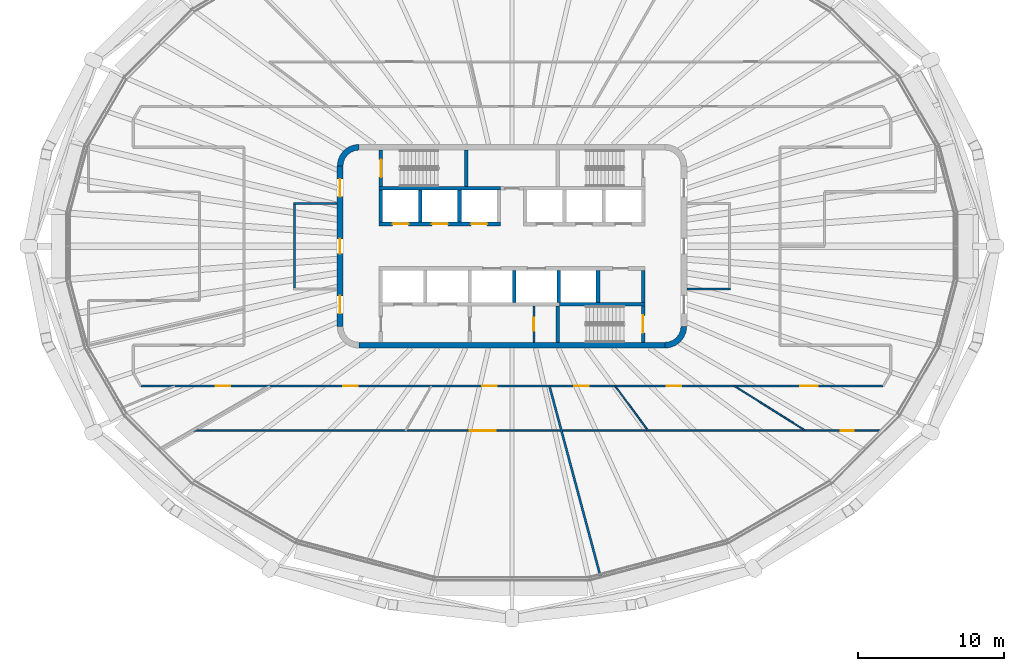
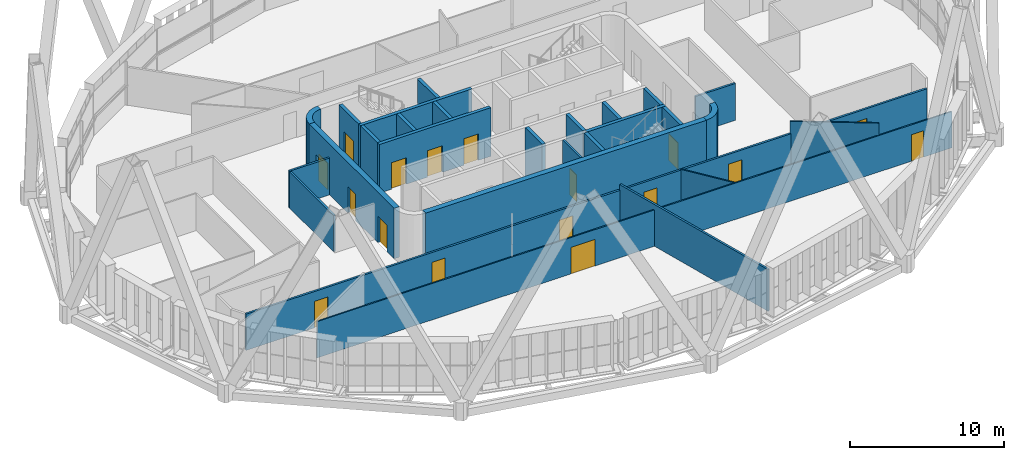
# One storey, part 13 of 23: 27 walls, 17 doors, 17 openings.
"""IFC4 building model written with IfcOpenShell, lengths in metres."""

from ifc_helpers import new_model, si_unit, direction, frame, frame_2d, origin, place, context, subcontext, project, spatial, polyline, rectangle, outline, extrude, material, layer, layer_set, type_object, element, fill, save


model = new_model("IFC4")

# Units and contexts
model_context = context("Model", 3, precision=1e-05, world=origin(), true_north=direction((0.0, 1.0)))
body_context = subcontext(model_context, "Body", "Model", "MODEL_VIEW")
ifc_project = project(units=[si_unit("LENGTHUNIT", "METRE"), si_unit("AREAUNIT", "SQUARE_METRE"), si_unit("VOLUMEUNIT", "CUBIC_METRE"), si_unit("PLANEANGLEUNIT", "RADIAN"), si_unit("MASSUNIT", "GRAM", prefix="KILO")], contexts=[model_context])

# Site, building, storey
site_placement = place(None, origin())
site = spatial("IfcSite", under=ifc_project, at=site_placement, CompositionType="ELEMENT")
building_placement = place(site_placement, origin())
building = spatial("IfcBuilding", under=site, at=building_placement, Name="Sahrelin Media Tower", CompositionType="ELEMENT")
storey_placement = place(building_placement, frame((0.0, 0.0, 217.60009765625)))
storey = spatial("IfcBuildingStorey", under=building, at=storey_placement, Name="L46", CompositionType="ELEMENT", Elevation=217.60009765625)

# Wall
ifc_material_1 = material(Name="Concrete C60/75", Category="concrete")
ifc_layer_1 = layer(ifc_material_1, 0.39990234375)
ifc_layer_set_1 = layer_set([ifc_layer_1], Name="Core wall 400")
wall_type_1 = type_object("IfcWallType", Name="Core wall 400", PredefinedType="SHEAR", material=ifc_layer_set_1)
wall_1_placement = place(storey_placement, frame((-10.5, -6.800048828125, 0.0), z_axis=(0.0, 0.0, 1.0), x_axis=(1.0, 0.0, 0.0)))
element("IfcWall", 1, at=wall_1_placement, inside=storey, type_object=wall_type_1, Name="Core wall S L46", PredefinedType="SHEAR", context=body_context, shape_type="SweptSolid", body=[
    extrude(rectangle(XDim=21.0, YDim=0.39990234375, at=frame_2d((10.5, 0.0))), origin(), (0.0, 0.0, 1.0), 4.0),
])

# Wall, openings, doors
wall_2_placement = place(storey_placement, frame((-11.800048828125, -5.5, 0.0), z_axis=(0.0, 0.0, 1.0), x_axis=(0.0, 1.0, 0.0)))
wall_2 = element("IfcWall", 2, at=wall_2_placement, inside=storey, type_object=wall_type_1, Name="Core wall W L46", PredefinedType="SHEAR", context=body_context, shape_type="SweptSolid", body=[
    extrude(rectangle(XDim=11.0, YDim=0.39990234375, at=frame_2d((5.5, 0.0))), origin(), (0.0, 0.0, 1.0), 4.0),
])
opening_1_placement = place(wall_2_placement, frame((5.0, 0.0, 0.0)))
opening_1 = element("IfcOpeningElement", 3, at=opening_1_placement, cuts=wall_2, Name="Opening L46-D09", PredefinedType="OPENING", context=body_context, shape_type="SweptSolid", body=[
    extrude(rectangle(XDim=1.0, YDim=2.10009765625, at=frame_2d((0.5, 1.050048828125))), frame((0.0, 0.199951171875, 0.0), z_axis=(0.0, -1.0, 0.0), x_axis=(1.0, 0.0, 0.0)), (0.0, 0.0, 1.0), 0.39990234375),
])
opening_2_placement = place(wall_2_placement, frame((0.89990234375, 0.0, 0.0)))
opening_2 = element("IfcOpeningElement", 4, at=opening_2_placement, cuts=wall_2, Name="Opening L46-D11", PredefinedType="OPENING", context=body_context, shape_type="SweptSolid", body=[
    extrude(rectangle(XDim=1.199951171875, YDim=2.10009765625, at=frame_2d((0.60009765625, 1.050048828125))), frame((0.0, 0.199951171875, 0.0), z_axis=(0.0, -1.0, 0.0), x_axis=(1.0, 0.0, 0.0)), (0.0, 0.0, 1.0), 0.39990234375),
])
opening_3_placement = place(wall_2_placement, frame((8.89990234375, 0.0, 0.0)))
opening_3 = element("IfcOpeningElement", 5, at=opening_3_placement, cuts=wall_2, Name="Opening L46-D12", PredefinedType="OPENING", context=body_context, shape_type="SweptSolid", body=[
    extrude(rectangle(XDim=1.199951171875, YDim=2.10009765625, at=frame_2d((0.60009765625, 1.050048828125))), frame((0.0, 0.199951171875, 0.0), z_axis=(0.0, -1.0, 0.0), x_axis=(1.0, 0.0, 0.0)), (0.0, 0.0, 1.0), 0.39990234375),
])
ifc_material_2 = material(Name="Steel fire door leaf", Category="steel")
door_type_1 = type_object("IfcDoorType", Name="Fire door 1000 x 2100 EI 60", OperationType="NOTDEFINED", PredefinedType="DOOR", material=ifc_material_2)
door_1_placement = place(opening_1_placement, origin())
door_1 = element("IfcDoor", 6, at=door_1_placement, inside=storey, type_object=door_type_1, Name="Core room door", OperationType="SINGLE_SWING_RIGHT", OverallHeight=2.10009765625, OverallWidth=1.0, PredefinedType="DOOR", context=body_context, shape_type="SweptSolid", body=[
    extrude(rectangle(XDim=1.0, YDim=2.10009765625, at=frame_2d((0.5, 1.050048828125))), frame((0.0, 0.02490234375, 0.0), z_axis=(0.0, -1.0, 0.0), x_axis=(1.0, 0.0, 0.0)), (0.0, 0.0, 1.0), 0.050048828125),
])
fill(opening_1, door_1)
door_type_2 = type_object("IfcDoorType", Name="Lobby door 1200 x 2100 EI 60", OperationType="NOTDEFINED", PredefinedType="DOOR", material=ifc_material_2)
door_2_placement = place(opening_2_placement, origin())
door_2 = element("IfcDoor", 7, at=door_2_placement, inside=storey, type_object=door_type_2, Name="Lobby door", OperationType="SINGLE_SWING_LEFT", OverallHeight=2.10009765625, OverallWidth=1.199951171875, PredefinedType="DOOR", context=body_context, shape_type="SweptSolid", body=[
    extrude(rectangle(XDim=1.199951171875, YDim=2.10009765625, at=frame_2d((0.60009765625, 1.050048828125))), frame((0.0, 0.02490234375, 0.0), z_axis=(0.0, -1.0, 0.0), x_axis=(1.0, 0.0, 0.0)), (0.0, 0.0, 1.0), 0.050048828125),
])
fill(opening_2, door_2)
door_3_placement = place(opening_3_placement, origin())
door_3 = element("IfcDoor", 8, at=door_3_placement, inside=storey, type_object=door_type_2, Name="Lobby door", OperationType="SINGLE_SWING_LEFT", OverallHeight=2.10009765625, OverallWidth=1.199951171875, PredefinedType="DOOR", context=body_context, shape_type="SweptSolid", body=[
    extrude(rectangle(XDim=1.199951171875, YDim=2.10009765625, at=frame_2d((0.60009765625, 1.050048828125))), frame((0.0, 0.02490234375, 0.0), z_axis=(0.0, -1.0, 0.0), x_axis=(1.0, 0.0, 0.0)), (0.0, 0.0, 1.0), 0.050048828125),
])
fill(opening_3, door_3)

# Walls
placement = place(storey_placement, origin())
element("IfcWall", 9, at=placement, inside=storey, type_object=wall_type_1, Name="Core wall corner NW L46", PredefinedType="SHEAR", context=body_context, shape_type="SweptSolid", body=[
    extrude(outline(polyline([(-12.0, 5.5), (-11.596435546875, 5.5), (-11.55908203125, 5.78369140625), (-11.44970703125, 6.04833984375), (-11.275390625, 6.275390625), (-11.04833984375, 6.44970703125), (-10.78369140625, 6.55908203125), (-10.5, 6.596435546875), (-10.5, 7.0), (-10.88818359375, 6.948974609375), (-11.25, 6.799072265625), (-11.560791015625, 6.560791015625), (-11.799072265625, 6.25), (-11.948974609375, 5.88818359375), (-12.0, 5.5)])), origin(), (0.0, 0.0, 1.0), 4.0),
])
element("IfcWall", 10, at=placement, inside=storey, type_object=wall_type_1, Name="Core wall corner SE L46", PredefinedType="SHEAR", context=body_context, shape_type="SweptSolid", body=[
    extrude(outline(polyline([(12.0, -5.5), (11.596435546875, -5.5), (11.55908203125, -5.78369140625), (11.44970703125, -6.04833984375), (11.275390625, -6.275390625), (11.04833984375, -6.44970703125), (10.78369140625, -6.55908203125), (10.5, -6.596435546875), (10.5, -7.0), (10.88818359375, -6.948974609375), (11.25, -6.799072265625), (11.560791015625, -6.560791015625), (11.799072265625, -6.25), (11.948974609375, -5.88818359375), (12.0, -5.5)])), origin(), (0.0, 0.0, 1.0), 4.0),
])

# Wall, opening, door
ifc_material_3 = material(Name="Fire-rated gypsum board partition")
ifc_layer_2 = layer(ifc_material_3, 0.14990234375)
ifc_layer_set_2 = layer_set([ifc_layer_2], Name="Fire-rated partition 150")
wall_type_2 = type_object("IfcWallType", Name="Fire-rated partition 150", PredefinedType="PARTITIONING", material=ifc_layer_set_2)
wall_5_placement = place(storey_placement, frame((1.5, -6.60009765625, 0.0), z_axis=(0.0, 0.0, 1.0), x_axis=(0.0, 1.0, 0.0)))
wall_5 = element("IfcWall", 11, at=wall_5_placement, inside=storey, type_object=wall_type_2, Name="Core room fire partition", PredefinedType="PARTITIONING", context=body_context, shape_type="SweptSolid", body=[
    extrude(rectangle(XDim=2.5, YDim=0.14990234375, at=frame_2d((1.25, 0.0))), origin(), (0.0, 0.0, 1.0), 3.849853515625),
])
opening_4_placement = place(wall_5_placement, frame((0.800048828125, 0.0, 0.0)))
opening_4 = element("IfcOpeningElement", 12, at=opening_4_placement, cuts=wall_5, Name="Opening L46-D07", PredefinedType="OPENING", context=body_context, shape_type="SweptSolid", body=[
    extrude(rectangle(XDim=0.89990234375, YDim=2.10009765625, at=frame_2d((0.449951171875, 1.050048828125))), frame((0.0, 0.074951171875, 0.0), z_axis=(0.0, -1.0, 0.0), x_axis=(1.0, 0.0, 0.0)), (0.0, 0.0, 1.0), 0.14990234375),
])
door_type_3 = type_object("IfcDoorType", Name="Fire door 900 x 2100 EI 60", OperationType="NOTDEFINED", PredefinedType="DOOR", material=ifc_material_2)
door_4_placement = place(opening_4_placement, origin())
door_4 = element("IfcDoor", 13, at=door_4_placement, inside=storey, type_object=door_type_3, Name="Core room door", OperationType="SINGLE_SWING_RIGHT", OverallHeight=2.10009765625, OverallWidth=0.89990234375, PredefinedType="DOOR", context=body_context, shape_type="SweptSolid", body=[
    extrude(rectangle(XDim=0.89990234375, YDim=2.10009765625, at=frame_2d((0.449951171875, 1.050048828125))), frame((0.0, 0.02490234375, 0.0), z_axis=(0.0, -1.0, 0.0), x_axis=(1.0, 0.0, 0.0)), (0.0, 0.0, 1.0), 0.050048828125),
])
fill(opening_4, door_4)

# Walls
wall_6_placement = place(storey_placement, frame((-14.925048828125, -2.85009765625, 0.0), z_axis=(0.0, 0.0, 1.0), x_axis=(0.0, 1.0, 0.0)))
element("IfcWall", 14, at=wall_6_placement, inside=storey, type_object=wall_type_2, Name="Core room fire partition", PredefinedType="PARTITIONING", context=body_context, shape_type="SweptSolid", body=[
    extrude(rectangle(XDim=5.7001953125, YDim=0.14990234375, at=frame_2d((2.85009765625, 0.0))), origin(), (0.0, 0.0, 1.0), 2.8681640625),
])
for number, where, z_axis, x_axis, name in (
    (15, (-15.0, 2.925048828125, 0.0), (0.0, 0.0, 1.0), (1.0, 0.0, 0.0), "Core room fire partition"),
    (16, (12.0, -2.925048828125, 0.0), (0.0, 0.0, 1.0), (1.0, 0.0, 0.0), "Core room fire partition"),
):
    element("IfcWall", number, at=place(storey_placement, frame(where, z_axis=z_axis, x_axis=x_axis)), inside=storey, type_object=wall_type_2, Name=name, PredefinedType="PARTITIONING", context=body_context, shape_type="SweptSolid", body=[
        extrude(rectangle(XDim=3.0, YDim=0.14990234375, at=frame_2d((1.5, 0.0))), origin(), (0.0, 0.0, 1.0), 2.918212890625),
    ])
wall_7_placement = place(storey_placement, frame((2.572021484375, -9.60009765625, 0.0), z_axis=(0.0, 0.0, 1.0), x_axis=(0.258848824381, -0.965917846464, 0.0)))
element("IfcWall", 17, at=wall_7_placement, inside=storey, type_object=wall_type_2, Name="Wall", PredefinedType="PARTITIONING", context=body_context, shape_type="SweptSolid", body=[
    extrude(rectangle(XDim=13.6025390625, YDim=0.14990234375, at=frame_2d((6.80126953125, 0.0))), origin(), (0.0, 0.0, 1.0), 3.301513671875),
])

# Wall, openings, doors
wall_8_placement = place(storey_placement, frame((-25.47900390625, -9.60009765625, 0.0), z_axis=(0.0, 0.0, 1.0), x_axis=(1.0, 0.0, 0.0)))
wall_8 = element("IfcWall", 18, at=wall_8_placement, inside=storey, type_object=wall_type_2, Name="Wall", PredefinedType="PARTITIONING", context=body_context, shape_type="SweptSolid", body=[
    extrude(rectangle(XDim=50.9580078125, YDim=0.14990234375, at=frame_2d((25.47900390625, 0.0))), origin(), (0.0, 0.0, 1.0), 2.876953125),
])
opening_5_placement = place(wall_8_placement, frame((5.12939453125, 0.0, 0.0)))
opening_5 = element("IfcOpeningElement", 19, at=opening_5_placement, cuts=wall_8, Name="Opening L46-D22", PredefinedType="OPENING", context=body_context, shape_type="SweptSolid", body=[
    extrude(rectangle(XDim=1.0, YDim=2.10009765625, at=frame_2d((0.5, 1.050048828125))), frame((0.0, 0.074951171875, 0.0), z_axis=(0.0, -1.0, 0.0), x_axis=(1.0, 0.0, 0.0)), (0.0, 0.0, 1.0), 0.14990234375),
])
opening_6_placement = place(wall_8_placement, frame((13.8935546875, 0.0, 0.0)))
opening_6 = element("IfcOpeningElement", 20, at=opening_6_placement, cuts=wall_8, Name="Opening L46-D24", PredefinedType="OPENING", context=body_context, shape_type="SweptSolid", body=[
    extrude(rectangle(XDim=1.0, YDim=2.10009765625, at=frame_2d((0.5, 1.050048828125))), frame((0.0, 0.074951171875, 0.0), z_axis=(0.0, -1.0, 0.0), x_axis=(1.0, 0.0, 0.0)), (0.0, 0.0, 1.0), 0.14990234375),
])
opening_7_placement = place(wall_8_placement, frame((23.443359375, 0.0, 0.0)))
opening_7 = element("IfcOpeningElement", 21, at=opening_7_placement, cuts=wall_8, Name="Opening L46-D25", PredefinedType="OPENING", context=body_context, shape_type="SweptSolid", body=[
    extrude(rectangle(XDim=1.0, YDim=2.10009765625, at=frame_2d((0.5, 1.050048828125))), frame((0.0, 0.074951171875, 0.0), z_axis=(0.0, -1.0, 0.0), x_axis=(1.0, 0.0, 0.0)), (0.0, 0.0, 1.0), 0.14990234375),
])
opening_8_placement = place(wall_8_placement, frame((29.757080078125, 0.0, 0.0)))
opening_8 = element("IfcOpeningElement", 22, at=opening_8_placement, cuts=wall_8, Name="Opening L46-D27", PredefinedType="OPENING", context=body_context, shape_type="SweptSolid", body=[
    extrude(rectangle(XDim=1.0, YDim=2.10009765625, at=frame_2d((0.5, 1.050048828125))), frame((0.0, 0.074951171875, 0.0), z_axis=(0.0, -1.0, 0.0), x_axis=(1.0, 0.0, 0.0)), (0.0, 0.0, 1.0), 0.14990234375),
])
opening_9_placement = place(wall_8_placement, frame((36.109619140625, 0.0, 0.0)))
opening_9 = element("IfcOpeningElement", 23, at=opening_9_placement, cuts=wall_8, Name="Opening L46-D28", PredefinedType="OPENING", context=body_context, shape_type="SweptSolid", body=[
    extrude(rectangle(XDim=1.0, YDim=2.10009765625, at=frame_2d((0.5, 1.050048828125))), frame((0.0, 0.074951171875, 0.0), z_axis=(0.0, -1.0, 0.0), x_axis=(1.0, 0.0, 0.0)), (0.0, 0.0, 1.0), 0.14990234375),
])
opening_10_placement = place(wall_8_placement, frame((45.257568359375, 0.0, 0.0)))
opening_10 = element("IfcOpeningElement", 24, at=opening_10_placement, cuts=wall_8, Name="Opening L46-D29", PredefinedType="OPENING", context=body_context, shape_type="SweptSolid", body=[
    extrude(rectangle(XDim=1.199951171875, YDim=2.10009765625, at=frame_2d((0.60009765625, 1.050048828125))), frame((0.0, 0.074951171875, 0.0), z_axis=(0.0, -1.0, 0.0), x_axis=(1.0, 0.0, 0.0)), (0.0, 0.0, 1.0), 0.14990234375),
])
door_5_placement = place(opening_5_placement, origin())
door_5 = element("IfcDoor", 25, at=door_5_placement, inside=storey, type_object=door_type_1, Name="Fire door", OperationType="SINGLE_SWING_RIGHT", OverallHeight=2.10009765625, OverallWidth=1.0, PredefinedType="DOOR", context=body_context, shape_type="SweptSolid", body=[
    extrude(rectangle(XDim=1.0, YDim=2.10009765625, at=frame_2d((0.5, 1.050048828125))), frame((0.0, 0.02490234375, 0.0), z_axis=(0.0, -1.0, 0.0), x_axis=(1.0, 0.0, 0.0)), (0.0, 0.0, 1.0), 0.050048828125),
])
fill(opening_5, door_5)
door_6_placement = place(opening_6_placement, origin())
door_6 = element("IfcDoor", 26, at=door_6_placement, inside=storey, type_object=door_type_1, Name="Fire door", OperationType="SINGLE_SWING_RIGHT", OverallHeight=2.10009765625, OverallWidth=1.0, PredefinedType="DOOR", context=body_context, shape_type="SweptSolid", body=[
    extrude(rectangle(XDim=1.0, YDim=2.10009765625, at=frame_2d((0.5, 1.050048828125))), frame((0.0, 0.02490234375, 0.0), z_axis=(0.0, -1.0, 0.0), x_axis=(1.0, 0.0, 0.0)), (0.0, 0.0, 1.0), 0.050048828125),
])
fill(opening_6, door_6)
door_7_placement = place(opening_7_placement, origin())
door_7 = element("IfcDoor", 27, at=door_7_placement, inside=storey, type_object=door_type_1, Name="Fire door", OperationType="SINGLE_SWING_LEFT", OverallHeight=2.10009765625, OverallWidth=1.0, PredefinedType="DOOR", context=body_context, shape_type="SweptSolid", body=[
    extrude(rectangle(XDim=1.0, YDim=2.10009765625, at=frame_2d((0.5, 1.050048828125))), frame((0.0, 0.02490234375, 0.0), z_axis=(0.0, -1.0, 0.0), x_axis=(1.0, 0.0, 0.0)), (0.0, 0.0, 1.0), 0.050048828125),
])
fill(opening_7, door_7)
door_8_placement = place(opening_8_placement, origin())
door_8 = element("IfcDoor", 28, at=door_8_placement, inside=storey, type_object=door_type_1, Name="Fire door", OperationType="SINGLE_SWING_LEFT", OverallHeight=2.10009765625, OverallWidth=1.0, PredefinedType="DOOR", context=body_context, shape_type="SweptSolid", body=[
    extrude(rectangle(XDim=1.0, YDim=2.10009765625, at=frame_2d((0.5, 1.050048828125))), frame((0.0, 0.02490234375, 0.0), z_axis=(0.0, -1.0, 0.0), x_axis=(1.0, 0.0, 0.0)), (0.0, 0.0, 1.0), 0.050048828125),
])
fill(opening_8, door_8)
door_9_placement = place(opening_9_placement, origin())
door_9 = element("IfcDoor", 29, at=door_9_placement, inside=storey, type_object=door_type_1, Name="Fire door", OperationType="SINGLE_SWING_LEFT", OverallHeight=2.10009765625, OverallWidth=1.0, PredefinedType="DOOR", context=body_context, shape_type="SweptSolid", body=[
    extrude(rectangle(XDim=1.0, YDim=2.10009765625, at=frame_2d((0.5, 1.050048828125))), frame((0.0, 0.02490234375, 0.0), z_axis=(0.0, -1.0, 0.0), x_axis=(1.0, 0.0, 0.0)), (0.0, 0.0, 1.0), 0.050048828125),
])
fill(opening_9, door_9)
door_type_4 = type_object("IfcDoorType", Name="Service double door 1200 x 2100 EI 60", OperationType="DOUBLE_DOOR_SINGLE_SWING", PredefinedType="DOOR", material=ifc_material_2)
door_10_placement = place(opening_10_placement, origin())
door_10 = element("IfcDoor", 30, at=door_10_placement, inside=storey, type_object=door_type_4, Name="Service double door", OperationType="DOUBLE_DOOR_SINGLE_SWING", OverallHeight=2.10009765625, OverallWidth=1.199951171875, PredefinedType="DOOR", context=body_context, shape_type="SweptSolid", body=[
    extrude(rectangle(XDim=1.199951171875, YDim=2.10009765625, at=frame_2d((0.60009765625, 1.050048828125))), frame((0.0, 0.02490234375, 0.0), z_axis=(0.0, -1.0, 0.0), x_axis=(1.0, 0.0, 0.0)), (0.0, 0.0, 1.0), 0.050048828125),
])
fill(opening_10, door_10)

ifc_layer_3 = layer(ifc_material_1, 0.25)
ifc_layer_set_3 = layer_set([ifc_layer_3], Name="Lift shaft wall 250")
wall_type_3 = type_object("IfcWallType", Name="Lift shaft wall 250", PredefinedType="SOLIDWALL", material=ifc_layer_set_3)
wall_9_placement = place(storey_placement, frame((-9.125, 1.52490234375, 0.0), z_axis=(0.0, 0.0, 1.0), x_axis=(1.0, 0.0, 0.0)))
wall_9 = element("IfcWall", 31, at=wall_9_placement, inside=storey, type_object=wall_type_3, Name="Lift shaft wall", PredefinedType="SOLIDWALL", context=body_context, shape_type="SweptSolid", body=[
    extrude(rectangle(XDim=8.35009765625, YDim=0.25, at=frame_2d((4.175048828125, 0.0))), origin(), (0.0, 0.0, 1.0), 3.849853515625),
])
opening_11_placement = place(wall_9_placement, frame((0.925048828125, 0.0, 0.0)))
opening_11 = element("IfcOpeningElement", 32, at=opening_11_placement, cuts=wall_9, Name="Opening L46-LD-HR1", PredefinedType="OPENING", context=body_context, shape_type="SweptSolid", body=[
    extrude(rectangle(XDim=1.10009765625, YDim=2.10009765625, at=frame_2d((0.550048828125, 1.050048828125))), frame((0.0, 0.125, 0.0), z_axis=(0.0, -1.0, 0.0), x_axis=(1.0, 0.0, 0.0)), (0.0, 0.0, 1.0), 0.25),
])
opening_12_placement = place(wall_9_placement, frame((3.625, 0.0, 0.0)))
opening_12 = element("IfcOpeningElement", 33, at=opening_12_placement, cuts=wall_9, Name="Opening L46-LD-HR2", PredefinedType="OPENING", context=body_context, shape_type="SweptSolid", body=[
    extrude(rectangle(XDim=1.10009765625, YDim=2.10009765625, at=frame_2d((0.550048828125, 1.050048828125))), frame((0.0, 0.125, 0.0), z_axis=(0.0, -1.0, 0.0), x_axis=(1.0, 0.0, 0.0)), (0.0, 0.0, 1.0), 0.25),
])
opening_13_placement = place(wall_9_placement, frame((6.324951171875, 0.0, 0.0)))
opening_13 = element("IfcOpeningElement", 34, at=opening_13_placement, cuts=wall_9, Name="Opening L46-LD-HR3", PredefinedType="OPENING", context=body_context, shape_type="SweptSolid", body=[
    extrude(rectangle(XDim=1.10009765625, YDim=2.10009765625, at=frame_2d((0.550048828125, 1.050048828125))), frame((0.0, 0.125, 0.0), z_axis=(0.0, -1.0, 0.0), x_axis=(1.0, 0.0, 0.0)), (0.0, 0.0, 1.0), 0.25),
])
ifc_material_4 = material(Name="Stainless steel", Category="steel")
door_type_5 = type_object("IfcDoorType", Name="Lift landing door 1100 x 2100 EI 120", OperationType="DOUBLE_DOOR_SLIDING", PredefinedType="DOOR", material=ifc_material_4)
door_11_placement = place(opening_11_placement, origin())
door_11 = element("IfcDoor", 35, at=door_11_placement, inside=storey, type_object=door_type_5, Name="Lift landing door HR1", OperationType="DOUBLE_DOOR_SLIDING", OverallHeight=2.10009765625, OverallWidth=1.10009765625, PredefinedType="DOOR", context=body_context, shape_type="SweptSolid", body=[
    extrude(rectangle(XDim=1.10009765625, YDim=2.10009765625, at=frame_2d((0.550048828125, 1.050048828125))), frame((0.0, 0.02490234375, 0.0), z_axis=(0.0, -1.0, 0.0), x_axis=(1.0, 0.0, 0.0)), (0.0, 0.0, 1.0), 0.050048828125),
])
fill(opening_11, door_11)
door_12_placement = place(opening_12_placement, origin())
door_12 = element("IfcDoor", 36, at=door_12_placement, inside=storey, type_object=door_type_5, Name="Lift landing door HR2", OperationType="DOUBLE_DOOR_SLIDING", OverallHeight=2.10009765625, OverallWidth=1.10009765625, PredefinedType="DOOR", context=body_context, shape_type="SweptSolid", body=[
    extrude(rectangle(XDim=1.10009765625, YDim=2.10009765625, at=frame_2d((0.550048828125, 1.050048828125))), frame((0.0, 0.02490234375, 0.0), z_axis=(0.0, -1.0, 0.0), x_axis=(1.0, 0.0, 0.0)), (0.0, 0.0, 1.0), 0.050048828125),
])
fill(opening_12, door_12)
door_13_placement = place(opening_13_placement, origin())
door_13 = element("IfcDoor", 37, at=door_13_placement, inside=storey, type_object=door_type_5, Name="Lift landing door HR3", OperationType="DOUBLE_DOOR_SLIDING", OverallHeight=2.10009765625, OverallWidth=1.10009765625, PredefinedType="DOOR", context=body_context, shape_type="SweptSolid", body=[
    extrude(rectangle(XDim=1.10009765625, YDim=2.10009765625, at=frame_2d((0.550048828125, 1.050048828125))), frame((0.0, 0.02490234375, 0.0), z_axis=(0.0, -1.0, 0.0), x_axis=(1.0, 0.0, 0.0)), (0.0, 0.0, 1.0), 0.050048828125),
])
fill(opening_13, door_13)

# Walls
wall_10_placement = place(storey_placement, frame((-9.125, 3.97509765625, 0.0), z_axis=(0.0, 0.0, 1.0), x_axis=(1.0, 0.0, 0.0)))
element("IfcWall", 38, at=wall_10_placement, inside=storey, type_object=wall_type_3, Name="Lift shaft wall", PredefinedType="SOLIDWALL", context=body_context, shape_type="SweptSolid", body=[
    extrude(rectangle(XDim=8.35009765625, YDim=0.25, at=frame_2d((4.175048828125, 0.0))), origin(), (0.0, 0.0, 1.0), 3.849853515625),
])
for number, where, z_axis, x_axis, name in (
    (39, (-9.0, 1.64990234375, 0.0), (0.0, 0.0, 1.0), (0.0, 1.0, 0.0), "Lift shaft wall"),
    (40, (-6.300048828125, 1.64990234375, 0.0), (0.0, 0.0, 1.0), (0.0, 1.0, 0.0), "Lift shaft wall"),
    (41, (-3.60009765625, 1.64990234375, 0.0), (0.0, 0.0, 1.0), (0.0, 1.0, 0.0), "Lift shaft wall"),
):
    element("IfcWall", number, at=place(storey_placement, frame(where, z_axis=z_axis, x_axis=x_axis)), inside=storey, type_object=wall_type_3, Name=name, PredefinedType="SOLIDWALL", context=body_context, shape_type="SweptSolid", body=[
        extrude(rectangle(XDim=2.2001953125, YDim=0.25, at=frame_2d((1.10009765625, 0.0))), origin(), (0.0, 0.0, 1.0), 3.849853515625),
    ])
wall_11_placement = place(storey_placement, frame((3.27490234375, -3.97509765625, 0.0), z_axis=(0.0, 0.0, 1.0), x_axis=(1.0, 0.0, 0.0)))
element("IfcWall", 42, at=wall_11_placement, inside=storey, type_object=wall_type_3, Name="Lift shaft wall", PredefinedType="SOLIDWALL", context=body_context, shape_type="SweptSolid", body=[
    extrude(rectangle(XDim=5.85009765625, YDim=0.25, at=frame_2d((2.925048828125, 0.0))), origin(), (0.0, 0.0, 1.0), 3.849853515625),
])
for number, where, z_axis, x_axis, name in (
    (43, (0.14990234375, -3.85009765625, 0.0), (0.0, 0.0, 1.0), (0.0, 1.0, 0.0), "Lift shaft wall"),
    (44, (3.199951171875, -3.85009765625, 0.0), (0.0, 0.0, 1.0), (0.0, 1.0, 0.0), "Lift shaft wall"),
    (45, (5.89990234375, -3.85009765625, 0.0), (0.0, 0.0, 1.0), (0.0, 1.0, 0.0), "Lift shaft wall"),
    (46, (9.0, -3.85009765625, 0.0), (0.0, 0.0, 1.0), (0.0, 1.0, 0.0), "Lift shaft wall"),
):
    element("IfcWall", number, at=place(storey_placement, frame(where, z_axis=z_axis, x_axis=x_axis)), inside=storey, type_object=wall_type_3, Name=name, PredefinedType="SOLIDWALL", context=body_context, shape_type="SweptSolid", body=[
        extrude(rectangle(XDim=2.2001953125, YDim=0.25, at=frame_2d((1.10009765625, 0.0))), origin(), (0.0, 0.0, 1.0), 3.849853515625),
    ])
ifc_material_5 = material(Name="Gypsum board partition")
ifc_layer_4 = layer(ifc_material_5, 0.10009765625)
ifc_layer_set_4 = layer_set([ifc_layer_4], Name="Partition 100")
wall_type_4 = type_object("IfcWallType", Name="Partition 100", PredefinedType="PARTITIONING", material=ifc_layer_set_4)
wall_12_placement = place(storey_placement, frame((7.0849609375, -9.60009765625, 0.0), z_axis=(0.0, 0.0, 1.0), x_axis=(0.593787976906, -0.80462154985, 0.0)))
element("IfcWall", 47, at=wall_12_placement, inside=storey, type_object=wall_type_4, Name="Wall", PredefinedType="PARTITIONING", context=body_context, shape_type="SweptSolid", body=[
    extrude(rectangle(XDim=3.802734375, YDim=0.10009765625, at=frame_2d((1.9013671875, 0.0))), origin(), (0.0, 0.0, 1.0), 2.918212890625),
])
wall_13_placement = place(storey_placement, frame((15.278076171875, -9.60009765625, 0.0), z_axis=(0.0, 0.0, 1.0), x_axis=(0.84673434941, -0.532015922252, 0.0)))
element("IfcWall", 48, at=wall_13_placement, inside=storey, type_object=wall_type_4, Name="Wall", PredefinedType="PARTITIONING", context=body_context, shape_type="SweptSolid", body=[
    extrude(rectangle(XDim=5.75146484375, YDim=0.10009765625, at=frame_2d((2.875732421875, 0.0))), origin(), (0.0, 0.0, 1.0), 3.849853515625),
])

# Wall, openings, doors
wall_14_placement = place(storey_placement, frame((-21.927978515625, -12.659912109375, 0.0), z_axis=(0.0, 0.0, 1.0), x_axis=(1.0, 0.0, 0.0)))
wall_14 = element("IfcWall", 49, at=wall_14_placement, inside=storey, type_object=wall_type_4, Name="Wall", PredefinedType="PARTITIONING", context=body_context, shape_type="SweptSolid", body=[
    extrude(rectangle(XDim=47.505859375, YDim=0.10009765625, at=frame_2d((23.7529296875, 0.0))), origin(), (0.0, 0.0, 1.0), 2.876953125),
])
opening_14_placement = place(wall_14_placement, frame((19.01953125, 0.0, 0.0)))
opening_14 = element("IfcOpeningElement", 50, at=opening_14_placement, cuts=wall_14, Name="Opening L46-D26", PredefinedType="OPENING", context=body_context, shape_type="SweptSolid", body=[
    extrude(rectangle(XDim=1.800048828125, YDim=2.10009765625, at=frame_2d((0.89990234375, 1.050048828125))), frame((0.0, 0.050048828125, 0.0), z_axis=(0.0, -1.0, 0.0), x_axis=(1.0, 0.0, 0.0)), (0.0, 0.0, 1.0), 0.10009765625),
])
opening_15_placement = place(wall_14_placement, frame((44.492431640625, 0.0, 0.0)))
opening_15 = element("IfcOpeningElement", 51, at=opening_15_placement, cuts=wall_14, Name="Opening L46-D30", PredefinedType="OPENING", context=body_context, shape_type="SweptSolid", body=[
    extrude(rectangle(XDim=0.89990234375, YDim=2.10009765625, at=frame_2d((0.449951171875, 1.050048828125))), frame((0.0, 0.050048828125, 0.0), z_axis=(0.0, -1.0, 0.0), x_axis=(1.0, 0.0, 0.0)), (0.0, 0.0, 1.0), 0.10009765625),
])
ifc_material_6 = material(Name="Timber door leaf", Category="wood")
door_type_6 = type_object("IfcDoorType", Name="Double door 1800 x 2100", OperationType="DOUBLE_DOOR_SINGLE_SWING", PredefinedType="DOOR", material=ifc_material_6)
door_14_placement = place(opening_14_placement, origin())
door_14 = element("IfcDoor", 52, at=door_14_placement, inside=storey, type_object=door_type_6, Name="Double door", OperationType="DOUBLE_DOOR_SINGLE_SWING", OverallHeight=2.10009765625, OverallWidth=1.800048828125, PredefinedType="DOOR", context=body_context, shape_type="SweptSolid", body=[
    extrude(rectangle(XDim=1.800048828125, YDim=2.10009765625, at=frame_2d((0.89990234375, 1.050048828125))), frame((0.0, 0.02490234375, 0.0), z_axis=(0.0, -1.0, 0.0), x_axis=(1.0, 0.0, 0.0)), (0.0, 0.0, 1.0), 0.050048828125),
])
fill(opening_14, door_14)
door_type_7 = type_object("IfcDoorType", Name="Single door 900 x 2100", OperationType="NOTDEFINED", PredefinedType="DOOR", material=ifc_material_6)
door_15_placement = place(opening_15_placement, origin())
door_15 = element("IfcDoor", 53, at=door_15_placement, inside=storey, type_object=door_type_7, Name="Single door", OperationType="SINGLE_SWING_LEFT", OverallHeight=2.10009765625, OverallWidth=0.89990234375, PredefinedType="DOOR", context=body_context, shape_type="SweptSolid", body=[
    extrude(rectangle(XDim=0.89990234375, YDim=2.10009765625, at=frame_2d((0.449951171875, 1.050048828125))), frame((0.0, 0.02490234375, 0.0), z_axis=(0.0, -1.0, 0.0), x_axis=(1.0, 0.0, 0.0)), (0.0, 0.0, 1.0), 0.050048828125),
])
fill(opening_15, door_15)

# Wall, opening, door
ifc_layer_5 = layer(ifc_material_1, 0.25)
ifc_layer_set_5 = layer_set([ifc_layer_5], Name="Stair enclosure wall 250")
wall_type_5 = type_object("IfcWallType", Name="Stair enclosure wall 250", PredefinedType="SOLIDWALL", material=ifc_layer_set_5)
wall_15_placement = place(storey_placement, frame((-9.0, 4.10009765625, 0.0), z_axis=(0.0, 0.0, 1.0), x_axis=(0.0, 1.0, 0.0)))
wall_15 = element("IfcWall", 54, at=wall_15_placement, inside=storey, type_object=wall_type_5, Name="Stair enclosure wall", PredefinedType="SOLIDWALL", context=body_context, shape_type="SweptSolid", body=[
    extrude(rectangle(XDim=2.5, YDim=0.25, at=frame_2d((1.25, 0.0))), origin(), (0.0, 0.0, 1.0), 3.849853515625),
])
opening_16_placement = place(wall_15_placement, frame((0.64990234375, 0.0, 0.0)))
opening_16 = element("IfcOpeningElement", 55, at=opening_16_placement, cuts=wall_15, Name="Opening L46-D01", PredefinedType="OPENING", context=body_context, shape_type="SweptSolid", body=[
    extrude(rectangle(XDim=1.199951171875, YDim=2.10009765625, at=frame_2d((0.60009765625, 1.050048828125))), frame((0.0, 0.125, 0.0), z_axis=(0.0, -1.0, 0.0), x_axis=(1.0, 0.0, 0.0)), (0.0, 0.0, 1.0), 0.25),
])
door_type_8 = type_object("IfcDoorType", Name="Stair door 1200 x 2100 EI 120", OperationType="NOTDEFINED", PredefinedType="DOOR", material=ifc_material_2)
door_16_placement = place(opening_16_placement, origin())
door_16 = element("IfcDoor", 56, at=door_16_placement, inside=storey, type_object=door_type_8, Name="Stair door ST1", OperationType="SINGLE_SWING_RIGHT", OverallHeight=2.10009765625, OverallWidth=1.199951171875, PredefinedType="DOOR", context=body_context, shape_type="SweptSolid", body=[
    extrude(rectangle(XDim=1.199951171875, YDim=2.10009765625, at=frame_2d((0.60009765625, 1.050048828125))), frame((0.0, 0.02490234375, 0.0), z_axis=(0.0, -1.0, 0.0), x_axis=(1.0, 0.0, 0.0)), (0.0, 0.0, 1.0), 0.050048828125),
])
fill(opening_16, door_16)

wall_16_placement = place(storey_placement, frame((9.0, -6.60009765625, 0.0), z_axis=(0.0, 0.0, 1.0), x_axis=(0.0, 1.0, 0.0)))
wall_16 = element("IfcWall", 57, at=wall_16_placement, inside=storey, type_object=wall_type_5, Name="Stair enclosure wall", PredefinedType="SOLIDWALL", context=body_context, shape_type="SweptSolid", body=[
    extrude(rectangle(XDim=2.5, YDim=0.25, at=frame_2d((1.25, 0.0))), origin(), (0.0, 0.0, 1.0), 3.849853515625),
])
opening_17_placement = place(wall_16_placement, frame((0.64990234375, 0.0, 0.0)))
opening_17 = element("IfcOpeningElement", 58, at=opening_17_placement, cuts=wall_16, Name="Opening L46-D03", PredefinedType="OPENING", context=body_context, shape_type="SweptSolid", body=[
    extrude(rectangle(XDim=1.199951171875, YDim=2.10009765625, at=frame_2d((0.60009765625, 1.050048828125))), frame((0.0, 0.125, 0.0), z_axis=(0.0, -1.0, 0.0), x_axis=(1.0, 0.0, 0.0)), (0.0, 0.0, 1.0), 0.25),
])
door_17_placement = place(opening_17_placement, origin())
door_17 = element("IfcDoor", 59, at=door_17_placement, inside=storey, type_object=door_type_8, Name="Stair door ST2", OperationType="SINGLE_SWING_LEFT", OverallHeight=2.10009765625, OverallWidth=1.199951171875, PredefinedType="DOOR", context=body_context, shape_type="SweptSolid", body=[
    extrude(rectangle(XDim=1.199951171875, YDim=2.10009765625, at=frame_2d((0.60009765625, 1.050048828125))), frame((0.0, 0.02490234375, 0.0), z_axis=(0.0, -1.0, 0.0), x_axis=(1.0, 0.0, 0.0)), (0.0, 0.0, 1.0), 0.050048828125),
])
fill(opening_17, door_17)

# Walls
for number, where, z_axis, x_axis, name in (
    (60, (-3.14990234375, 4.10009765625, 0.0), (0.0, 0.0, 1.0), (0.0, 1.0, 0.0), "Stair enclosure wall"),
    (61, (3.14990234375, -6.60009765625, 0.0), (0.0, 0.0, 1.0), (0.0, 1.0, 0.0), "Stair enclosure wall"),
):
    element("IfcWall", number, at=place(storey_placement, frame(where, z_axis=z_axis, x_axis=x_axis)), inside=storey, type_object=wall_type_5, Name=name, PredefinedType="SOLIDWALL", context=body_context, shape_type="SweptSolid", body=[
        extrude(rectangle(XDim=2.5, YDim=0.25, at=frame_2d((1.25, 0.0))), origin(), (0.0, 0.0, 1.0), 3.849853515625),
    ])

save(model, "model.ifc")
